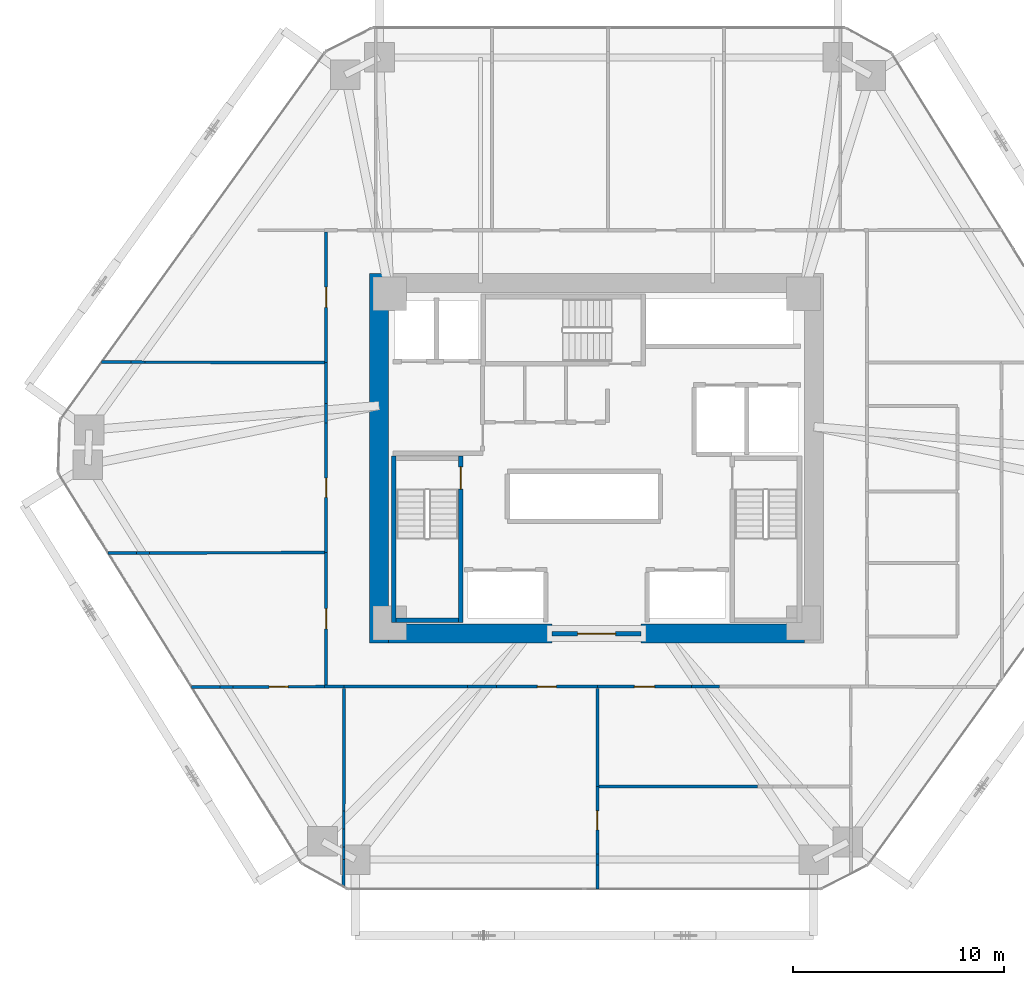
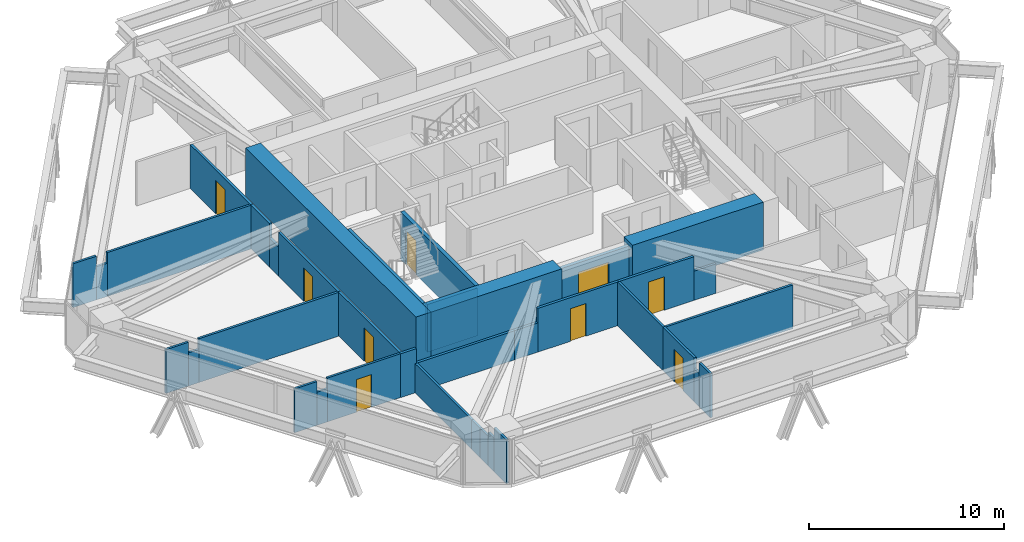
# One storey, part 13 of 18: 37 walls, 9 doors, 9 openings.
"""IFC4 building model written with IfcOpenShell, lengths in metres."""

from ifc_helpers import new_model, si_unit, direction, frame, frame_2d, origin, place, context, subcontext, project, spatial, rectangle, extrude, source, transform, mapped, material, layer, layer_set, type_object, type_shapes, element, fill, save


model = new_model("IFC4")

# Units and contexts
model_context = context("Model", 3, precision=1e-05, world=origin(), true_north=direction((0.0, 1.0)))
body_context = subcontext(model_context, "Body", "Model", "MODEL_VIEW")
ifc_project = project(units=[si_unit("LENGTHUNIT", "METRE"), si_unit("AREAUNIT", "SQUARE_METRE"), si_unit("VOLUMEUNIT", "CUBIC_METRE"), si_unit("PLANEANGLEUNIT", "RADIAN"), si_unit("MASSUNIT", "GRAM", prefix="KILO")], contexts=[model_context])

# Site, building, storey
site_placement = place(None, origin())
site = spatial("IfcSite", under=ifc_project, at=site_placement, CompositionType="ELEMENT")
building_placement = place(site_placement, origin())
building = spatial("IfcBuilding", under=site, at=building_placement, Name="Durnholm Broadcast Tower", CompositionType="ELEMENT")
storey_placement = place(building_placement, frame((0.0, 0.0, 78.300048828125)))
storey = spatial("IfcBuildingStorey", under=building, at=storey_placement, Name="L20", CompositionType="ELEMENT", Elevation=78.300048828125)

# Walls
ifc_material_1 = material(Name="Concrete C70/85", Category="concrete")
ifc_layer_1 = layer(ifc_material_1, 0.89990234375)
ifc_layer_set_1 = layer_set([ifc_layer_1], Name="Concrete C70/85")
wall_type_1 = type_object("IfcWallType", Name="WALL-CW-900", PredefinedType="SHEAR", material=ifc_layer_set_1)
wall_1_placement = place(storey_placement, frame((-10.300048828125, -8.75, 0.0), z_axis=(0.0, 0.0, 1.0), x_axis=(0.0, 1.0, 0.0)))
element("IfcWall", 1, at=wall_1_placement, inside=storey, type_object=wall_type_1, Name="L20 central core shear wall CW-WEST", PredefinedType="SHEAR", context=body_context, shape_type="SweptSolid", body=[
    extrude(rectangle(XDim=17.5, YDim=0.89990234375, at=frame_2d((8.75, 0.0))), origin(), (0.0, 0.0, 1.0), 3.0),
])
for number, where, z_axis, x_axis, name in (
    (2, (-9.85009765625, -8.300048828125, 0.0), (0.0, 0.0, 1.0), (1.0, 0.0, 0.0), "L20 central core shear wall CW-S1"),
    (3, (2.10009765625, -8.300048828125, 0.0), (0.0, 0.0, 1.0), (1.0, 0.0, 0.0), "L20 central core shear wall CW-S2"),
):
    element("IfcWall", number, at=place(storey_placement, frame(where, z_axis=z_axis, x_axis=x_axis)), inside=storey, type_object=wall_type_1, Name=name, PredefinedType="SHEAR", context=body_context, shape_type="SweptSolid", body=[
        extrude(rectangle(XDim=7.75, YDim=0.89990234375, at=frame_2d((3.875, 0.0))), origin(), (0.0, 0.0, 1.0), 3.0),
    ])

# Wall, opening, door
ifc_material_2 = material(Name="Fire-Rated Gypsum Shaftwall", Category="concrete")
ifc_layer_2 = layer(ifc_material_2, 0.199951171875)
ifc_layer_set_2 = layer_set([ifc_layer_2], Name="Fire-Rated Gypsum Shaftwall")
wall_type_2 = type_object("IfcWallType", Name="WALL-LOB-200", PredefinedType="SOLIDWALL", material=ifc_layer_set_2)
wall_2_placement = place(storey_placement, frame((-2.10009765625, -8.300048828125, 0.0), z_axis=(0.0, 0.0, 1.0), x_axis=(1.0, 0.0, 0.0)))
wall_2 = element("IfcWall", 4, at=wall_2_placement, inside=storey, type_object=wall_type_2, Name="L20 south core lobby fire screen", PredefinedType="SOLIDWALL", context=body_context, shape_type="SweptSolid", body=[
    extrude(rectangle(XDim=4.2001953125, YDim=0.199951171875, at=frame_2d((2.10009765625, 0.0))), origin(), (0.0, 0.0, 1.0), 2.744873046875),
])
opening_1_placement = place(wall_2_placement, frame((1.199951171875, 0.0, 0.0)))
opening_1 = element("IfcOpeningElement", 5, at=opening_1_placement, cuts=wall_2, Name="Opening DP-60", PredefinedType="OPENING", context=body_context, shape_type="SweptSolid", body=[
    extrude(rectangle(XDim=1.800048828125, YDim=2.14990234375, at=frame_2d((0.89990234375, 1.074951171875))), frame((0.0, 0.10986328125, 0.0), z_axis=(0.0, -1.0, 0.0), x_axis=(1.0, 0.0, 0.0)), (0.0, 0.0, 1.0), 0.219970703125),
])
ifc_material_3 = material(Name="Fire-Rated Double Corridor Door", Category="steel")
ifc_layer_3 = layer(ifc_material_3, 0.050048828125)
ifc_layer_set_3 = layer_set([ifc_layer_3], Name="Fire-Rated Double Corridor Door")
door_type_1 = type_object("IfcDoorType", Name="DOOR-PAIR-FD60", OperationType="DOUBLE_DOOR_SINGLE_SWING", PredefinedType="DOOR", material=ifc_layer_set_3)
shared_shape_1 = source(origin(), body_context, "Body", "SweptSolid", [
    extrude(rectangle(XDim=1.800048828125, YDim=2.14990234375, at=frame_2d((0.89990234375, 1.074951171875))), frame((0.0, 0.02490234375, 0.0), z_axis=(0.0, -1.0, 0.0), x_axis=(1.0, 0.0, 0.0)), (0.0, 0.0, 1.0), 0.050048828125),
])
type_shapes(door_type_1, [shared_shape_1])
door_1_placement = place(opening_1_placement, origin())
door_1 = element("IfcDoor", 6, at=door_1_placement, inside=storey, type_object=door_type_1, Name="L20 south core lobby double fire door", OperationType="DOUBLE_DOOR_SINGLE_SWING", OverallHeight=2.14990234375, OverallWidth=1.800048828125, PredefinedType="DOOR", context=body_context, shape_type="MappedRepresentation", body=[
    mapped(shared_shape_1, transform((0.0, 0.0, 0.0), x_axis=(1.0, 0.0, 0.0), y_axis=(0.0, 1.0, 0.0), z_axis=(0.0, 0.0, 1.0), scale=1.0)),
])
fill(opening_1, door_1)

# Walls
ifc_material_4 = material(Name="Gypsum Metal Stud Partition", Category="concrete")
ifc_layer_4 = layer(ifc_material_4, 0.135009765625)
ifc_layer_set_4 = layer_set([ifc_layer_4], Name="Gypsum Metal Stud Partition")
wall_type_3 = type_object("IfcWallType", Name="WALL-PART-135", PredefinedType="PARTITIONING", material=ifc_layer_set_4)
wall_3_placement = place(storey_placement, frame((-11.960205078125, -10.888916015625, 0.0), z_axis=(0.0, 0.0, 1.0), x_axis=(-0.002018838416, -0.999997962144, 0.0)))
element("IfcWall", 7, at=wall_3_placement, inside=storey, type_object=wall_type_3, Name="L20 room dividing partition 13.14", PredefinedType="PARTITIONING", context=body_context, shape_type="SweptSolid", body=[
    extrude(rectangle(XDim=5.8046875, YDim=0.135009765625, at=frame_2d((2.90234375, 0.0))), origin(), (0.0, 0.0, 1.0), 1.830078125),
])
wall_4_placement = place(storey_placement, frame((-11.973876953125, -17.552001953125, 0.0), z_axis=(0.0, 0.0, 1.0), x_axis=(-0.002027218539, -0.99999794519, 0.0)))
element("IfcWall", 8, at=wall_4_placement, inside=storey, type_object=wall_type_3, Name="L20 room dividing partition 13.14", PredefinedType="PARTITIONING", context=body_context, shape_type="SweptSolid", body=[
    extrude(rectangle(XDim=0.843017578125, YDim=0.135009765625, at=frame_2d((0.42138671875, 0.0))), origin(), (0.0, 0.0, 1.0), 1.830078125),
])
wall_5_placement = place(storey_placement, frame((-11.976806640625, -18.99951171875, 0.0), z_axis=(0.0, 0.0, 1.0), x_axis=(-0.002069999329, -0.999997857549, 0.0)))
element("IfcWall", 9, at=wall_5_placement, inside=storey, type_object=wall_type_3, Name="L20 room dividing partition 13.14", PredefinedType="PARTITIONING", context=body_context, shape_type="SweptSolid", body=[
    extrude(rectangle(XDim=1.29736328125, YDim=0.135009765625, at=frame_2d((0.648681640625, 0.0))), origin(), (0.0, 0.0, 1.0), 2.744873046875),
])
wall_6_placement = place(storey_placement, frame((-11.971923828125, -16.693603515625, 0.0), z_axis=(0.0, 0.0, 1.0), x_axis=(-0.002275306966, -0.999997411486, 0.0)))
element("IfcWall", 10, at=wall_6_placement, inside=storey, type_object=wall_type_3, Name="L20 room dividing partition 13.14", PredefinedType="PARTITIONING", context=body_context, shape_type="SweptSolid", body=[
    extrude(rectangle(XDim=0.8583984375, YDim=0.135009765625, at=frame_2d((0.42919921875, 0.0))), origin(), (0.0, 0.0, 1.0), 1.830078125),
])
wall_7_placement = place(storey_placement, frame((-11.9755859375, -18.39501953125, 0.0), z_axis=(0.0, 0.0, 1.0), x_axis=(-0.002019381989, -0.999997961046, 0.0)))
element("IfcWall", 11, at=wall_7_placement, inside=storey, type_object=wall_type_3, Name="L20 room dividing partition 13.14", PredefinedType="PARTITIONING", context=body_context, shape_type="SweptSolid", body=[
    extrude(rectangle(XDim=0.6044921875, YDim=0.135009765625, at=frame_2d((0.30224609375, 0.0))), origin(), (0.0, 0.0, 1.0), 2.079833984375),
])
wall_8_placement = place(storey_placement, frame((-19.18212890625, -10.831298828125, 0.0), z_axis=(0.0, 0.0, 1.0), x_axis=(0.999994579825, 0.00329246432, 0.0)))
element("IfcWall", 12, at=wall_8_placement, inside=storey, type_object=wall_type_3, Name="L20 room dividing partition 13.18", PredefinedType="PARTITIONING", context=body_context, shape_type="SweptSolid", body=[
    extrude(rectangle(XDim=1.334716796875, YDim=0.135009765625, at=frame_2d((0.66748046875, 0.0))), origin(), (0.0, 0.0, 1.0), 2.744873046875),
])

# Wall, opening, door
wall_9_placement = place(storey_placement, frame((-17.225341796875, -10.82470703125, 0.0), z_axis=(0.0, 0.0, 1.0), x_axis=(0.999994480721, 0.003322427884, 0.0)))
wall_9 = element("IfcWall", 13, at=wall_9_placement, inside=storey, type_object=wall_type_3, Name="L20 room dividing partition 13.18", PredefinedType="PARTITIONING", context=body_context, shape_type="SweptSolid", body=[
    extrude(rectangle(XDim=4.33544921875, YDim=0.135009765625, at=frame_2d((2.167724609375, 0.0))), origin(), (0.0, 0.0, 1.0), 2.744873046875),
])
opening_2_placement = place(wall_9_placement, frame((1.7177734375, 0.0, 0.0)))
opening_2 = element("IfcOpeningElement", 14, at=opening_2_placement, cuts=wall_9, Name="Opening DW-90L", PredefinedType="OPENING", context=body_context, shape_type="SweptSolid", body=[
    extrude(rectangle(XDim=0.89990234375, YDim=2.050048828125, at=frame_2d((0.449951171875, 1.02490234375))), frame((0.0, 0.07763671875, 0.0), z_axis=(0.0, -1.0, 0.0), x_axis=(1.0, 0.0, 0.0)), (0.0, 0.0, 1.0), 0.155029296875),
])
ifc_material_5 = material(Name="Laminate Restroom Door", Category="steel")
ifc_layer_5 = layer(ifc_material_5, 0.050048828125)
ifc_layer_set_5 = layer_set([ifc_layer_5], Name="Laminate Restroom Door")
door_type_2 = type_object("IfcDoorType", Name="DOOR-WC-900L", OperationType="NOTDEFINED", PredefinedType="DOOR", material=ifc_layer_set_5)
shared_shape_2 = source(origin(), body_context, "Body", "SweptSolid", [
    extrude(rectangle(XDim=0.89990234375, YDim=2.050048828125, at=frame_2d((0.449951171875, 1.02490234375))), frame((0.0, 0.02490234375, 0.0), z_axis=(0.0, -1.0, 0.0), x_axis=(1.0, 0.0, 0.0)), (0.0, 0.0, 1.0), 0.050048828125),
])
type_shapes(door_type_2, [shared_shape_2])
door_2_placement = place(opening_2_placement, origin())
door_2 = element("IfcDoor", 15, at=door_2_placement, inside=storey, type_object=door_type_2, Name="L20 Script Office connecting door", OperationType="SINGLE_SWING_LEFT", OverallHeight=2.050048828125, OverallWidth=0.89990234375, PredefinedType="DOOR", context=body_context, shape_type="MappedRepresentation", body=[
    mapped(shared_shape_2, transform((0.0, 0.0, 0.0), x_axis=(1.0, 0.0, 0.0), y_axis=(0.0, 1.0, 0.0), z_axis=(0.0, 0.0, 1.0), scale=1.0)),
])
fill(opening_2, door_2)

# Wall
wall_10_placement = place(storey_placement, frame((-17.847412109375, -10.826904296875, 0.0), z_axis=(0.0, 0.0, 1.0), x_axis=(0.999993761903, 0.00353216007, 0.0)))
element("IfcWall", 16, at=wall_10_placement, inside=storey, type_object=wall_type_3, Name="L20 room dividing partition 13.18", PredefinedType="PARTITIONING", context=body_context, shape_type="SweptSolid", body=[
    extrude(rectangle(XDim=0.6220703125, YDim=0.135009765625, at=frame_2d((0.31103515625, 0.0))), origin(), (0.0, 0.0, 1.0), 2.079833984375),
])

# Wall, opening, door
wall_11_placement = place(storey_placement, frame((0.0400390625, -15.544921875, 0.0), z_axis=(0.0, 0.0, 1.0), x_axis=(0.0, -1.0, 0.0)))
wall_11 = element("IfcWall", 17, at=wall_11_placement, inside=storey, type_object=wall_type_3, Name="L20 room dividing partition 14.15", PredefinedType="PARTITIONING", context=body_context, shape_type="SweptSolid", body=[
    extrude(rectangle(XDim=3.190673828125, YDim=0.135009765625, at=frame_2d((1.59521484375, 0.0))), origin(), (0.0, 0.0, 1.0), 2.744873046875),
])
opening_3_placement = place(wall_11_placement, frame((1.145263671875, 0.0, 0.0)))
opening_3 = element("IfcOpeningElement", 18, at=opening_3_placement, cuts=wall_11, Name="Opening DW-90L", PredefinedType="OPENING", context=body_context, shape_type="SweptSolid", body=[
    extrude(rectangle(XDim=0.89990234375, YDim=2.050048828125, at=frame_2d((0.449951171875, 1.02490234375))), frame((0.0, 0.07763671875, 0.0), z_axis=(0.0, -1.0, 0.0), x_axis=(1.0, 0.0, 0.0)), (0.0, 0.0, 1.0), 0.155029296875),
])
door_3_placement = place(opening_3_placement, origin())
door_3 = element("IfcDoor", 19, at=door_3_placement, inside=storey, type_object=door_type_2, Name="L20 Production Lounge connecting door", OperationType="SINGLE_SWING_LEFT", OverallHeight=2.050048828125, OverallWidth=0.89990234375, PredefinedType="DOOR", context=body_context, shape_type="MappedRepresentation", body=[
    mapped(shared_shape_2, transform((0.0, 0.0, 0.0), x_axis=(1.0, 0.0, 0.0), y_axis=(0.0, 1.0, 0.0), z_axis=(0.0, 0.0, 1.0), scale=1.0)),
])
fill(opening_3, door_3)

# Walls
wall_12_placement = place(storey_placement, frame((0.0400390625, -19.264404296875, 0.0), z_axis=(0.0, 0.0, 1.0), x_axis=(0.0, -1.0, 0.0)))
element("IfcWall", 20, at=wall_12_placement, inside=storey, type_object=wall_type_3, Name="L20 room dividing partition 14.15", PredefinedType="PARTITIONING", context=body_context, shape_type="SweptSolid", body=[
    extrude(rectangle(XDim=1.135498046875, YDim=0.135009765625, at=frame_2d((0.56787109375, 0.0))), origin(), (0.0, 0.0, 1.0), 2.744873046875),
])
wall_13_placement = place(storey_placement, frame((0.0400390625, -18.735595703125, 0.0), z_axis=(0.0, 0.0, 1.0), x_axis=(0.0, -1.0, 0.0)))
element("IfcWall", 21, at=wall_13_placement, inside=storey, type_object=wall_type_3, Name="L20 room dividing partition 14.15", PredefinedType="PARTITIONING", context=body_context, shape_type="SweptSolid", body=[
    extrude(rectangle(XDim=0.52880859375, YDim=0.135009765625, at=frame_2d((0.264404296875, 0.0))), origin(), (0.0, 0.0, 1.0), 2.079833984375),
])
wall_14_placement = place(storey_placement, frame((0.0400390625, -10.888916015625, 0.0), z_axis=(0.0, 0.0, 1.0), x_axis=(0.0, -1.0, 0.0)))
element("IfcWall", 22, at=wall_14_placement, inside=storey, type_object=wall_type_3, Name="L20 room dividing partition 14.16", PredefinedType="PARTITIONING", context=body_context, shape_type="SweptSolid", body=[
    extrude(rectangle(XDim=4.656005859375, YDim=0.135009765625, at=frame_2d((2.328125, 0.0))), origin(), (0.0, 0.0, 1.0), 2.744873046875),
])
wall_15_placement = place(storey_placement, frame((0.111572265625, -15.544921875, 0.0), z_axis=(0.0, 0.0, 1.0), x_axis=(1.0, 0.0, 0.0)))
element("IfcWall", 23, at=wall_15_placement, inside=storey, type_object=wall_type_3, Name="L20 room dividing partition 15.16", PredefinedType="PARTITIONING", context=body_context, shape_type="SweptSolid", body=[
    extrude(rectangle(XDim=7.52197265625, YDim=0.135009765625, at=frame_2d((3.760986328125, 0.0))), origin(), (0.0, 0.0, 1.0), 2.744873046875),
])
wall_16_placement = place(storey_placement, frame((-23.13623046875, -4.481201171875, 0.0), z_axis=(0.0, 0.0, 1.0), x_axis=(0.999997979486, 0.002010229856, 0.0)))
element("IfcWall", 24, at=wall_16_placement, inside=storey, type_object=wall_type_3, Name="L20 room dividing partition 18.19", PredefinedType="PARTITIONING", context=body_context, shape_type="SweptSolid", body=[
    extrude(rectangle(XDim=1.3359375, YDim=0.135009765625, at=frame_2d((0.66796875, 0.0))), origin(), (0.0, 0.0, 1.0), 2.744873046875),
])
wall_17_placement = place(storey_placement, frame((-21.177978515625, -4.47705078125, 0.0), z_axis=(0.0, 0.0, 1.0), x_axis=(0.999997934924, 0.00203227667, 0.0)))
element("IfcWall", 25, at=wall_17_placement, inside=storey, type_object=wall_type_3, Name="L20 room dividing partition 18.19", PredefinedType="PARTITIONING", context=body_context, shape_type="SweptSolid", body=[
    extrude(rectangle(XDim=8.2890625, YDim=0.135009765625, at=frame_2d((4.14453125, 0.0))), origin(), (0.0, 0.0, 1.0), 2.744873046875),
])
wall_18_placement = place(storey_placement, frame((-21.80029296875, -4.478515625, 0.0), z_axis=(0.0, 0.0, 1.0), x_axis=(0.999997229673, 0.00235385774, 0.0)))
element("IfcWall", 26, at=wall_18_placement, inside=storey, type_object=wall_type_3, Name="L20 room dividing partition 18.19", PredefinedType="PARTITIONING", context=body_context, shape_type="SweptSolid", body=[
    extrude(rectangle(XDim=0.622314453125, YDim=0.135009765625, at=frame_2d((0.31103515625, 0.0))), origin(), (0.0, 0.0, 1.0), 2.079833984375),
])
wall_19_placement = place(storey_placement, frame((-23.4423828125, 4.5634765625, 0.0), z_axis=(0.0, 0.0, 1.0), x_axis=(0.999997421875, -0.002270736504, 0.0)))
element("IfcWall", 27, at=wall_19_placement, inside=storey, type_object=wall_type_3, Name="L20 room dividing partition 19.20", PredefinedType="PARTITIONING", context=body_context, shape_type="SweptSolid", body=[
    extrude(rectangle(XDim=1.397705078125, YDim=0.135009765625, at=frame_2d((0.69873046875, 0.0))), origin(), (0.0, 0.0, 1.0), 2.744873046875),
])
wall_20_placement = place(storey_placement, frame((-21.393310546875, 4.558837890625, 0.0), z_axis=(0.0, 0.0, 1.0), x_axis=(0.999997619934, -0.002181771233, 0.0)))
element("IfcWall", 28, at=wall_20_placement, inside=storey, type_object=wall_type_3, Name="L20 room dividing partition 19.20", PredefinedType="PARTITIONING", context=body_context, shape_type="SweptSolid", body=[
    extrude(rectangle(XDim=8.50439453125, YDim=0.135009765625, at=frame_2d((4.252197265625, 0.0))), origin(), (0.0, 0.0, 1.0), 2.744873046875),
])
wall_21_placement = place(storey_placement, frame((-22.044677734375, 4.560302734375, 0.0), z_axis=(0.0, 0.0, 1.0), x_axis=(0.999997471289, -0.002248869875, 0.0)))
element("IfcWall", 29, at=wall_21_placement, inside=storey, type_object=wall_type_3, Name="L20 room dividing partition 19.20", PredefinedType="PARTITIONING", context=body_context, shape_type="SweptSolid", body=[
    extrude(rectangle(XDim=0.6513671875, YDim=0.135009765625, at=frame_2d((0.32568359375, 0.0))), origin(), (0.0, 0.0, 1.0), 2.079833984375),
])
ifc_material_6 = material(Name="Acoustic Gypsum Stud Partition", Category="concrete")
ifc_layer_6 = layer(ifc_material_6, 0.14990234375)
ifc_layer_set_6 = layer_set([ifc_layer_6], Name="Acoustic Gypsum Stud Partition")
wall_type_4 = type_object("IfcWallType", Name="WALL-PART-150", PredefinedType="PARTITIONING", material=ifc_layer_set_6)
wall_22_placement = place(storey_placement, frame((-12.889892578125, -10.81005859375, 0.0), z_axis=(0.0, 0.0, 1.0), x_axis=(1.0, 0.0, 0.0)))
element("IfcWall", 30, at=wall_22_placement, inside=storey, type_object=wall_type_4, Name="L20 Script Office corridor partition", PredefinedType="PARTITIONING", context=body_context, shape_type="SweptSolid", body=[
    extrude(rectangle(XDim=0.929931640625, YDim=0.14990234375, at=frame_2d((0.46484375, 0.0))), origin(), (0.0, 0.0, 1.0), 2.744873046875),
])
wall_23_placement = place(storey_placement, frame((-11.9599609375, -10.81005859375, 0.0), z_axis=(0.0, 0.0, 1.0), x_axis=(1.0, 0.0, 0.0)))
element("IfcWall", 31, at=wall_23_placement, inside=storey, type_object=wall_type_4, Name="L20 Archive Store corridor partition", PredefinedType="PARTITIONING", context=body_context, shape_type="SweptSolid", body=[
    extrude(rectangle(XDim=5.83837890625, YDim=0.14990234375, at=frame_2d((2.919189453125, 0.0))), origin(), (0.0, 0.0, 1.0), 1.830078125),
])

# Wall, opening, door
wall_24_placement = place(storey_placement, frame((-4.749755859375, -10.81005859375, 0.0), z_axis=(0.0, 0.0, 1.0), x_axis=(1.0, 0.0, 0.0)))
wall_24 = element("IfcWall", 32, at=wall_24_placement, inside=storey, type_object=wall_type_4, Name="L20 Archive Store corridor partition", PredefinedType="PARTITIONING", context=body_context, shape_type="SweptSolid", body=[
    extrude(rectangle(XDim=4.789794921875, YDim=0.14990234375, at=frame_2d((2.39501953125, 0.0))), origin(), (0.0, 0.0, 1.0), 2.744873046875),
])
opening_4_placement = place(wall_24_placement, frame((1.94482421875, 0.0, 0.0)))
opening_4 = element("IfcOpeningElement", 33, at=opening_4_placement, cuts=wall_24, Name="Opening DC-60R", PredefinedType="OPENING", context=body_context, shape_type="SweptSolid", body=[
    extrude(rectangle(XDim=0.89990234375, YDim=2.050048828125, at=frame_2d((0.449951171875, 1.02490234375))), frame((0.0, 0.0849609375, 0.0), z_axis=(0.0, -1.0, 0.0), x_axis=(1.0, 0.0, 0.0)), (0.0, 0.0, 1.0), 0.169921875),
])
ifc_material_7 = material(Name="Fire-Rated Core Service Door", Category="steel")
ifc_layer_7 = layer(ifc_material_7, 0.050048828125)
ifc_layer_set_7 = layer_set([ifc_layer_7], Name="Fire-Rated Core Service Door")
door_type_3 = type_object("IfcDoorType", Name="DOOR-CORE-FD60-R", OperationType="NOTDEFINED", PredefinedType="DOOR", material=ifc_layer_set_7)
shared_shape_3 = source(origin(), body_context, "Body", "SweptSolid", [
    extrude(rectangle(XDim=0.89990234375, YDim=2.050048828125, at=frame_2d((0.449951171875, 1.02490234375))), frame((0.0, 0.02490234375, 0.0), z_axis=(0.0, -1.0, 0.0), x_axis=(1.0, 0.0, 0.0)), (0.0, 0.0, 1.0), 0.050048828125),
])
type_shapes(door_type_3, [shared_shape_3])
door_4_placement = place(opening_4_placement, origin())
door_4 = element("IfcDoor", 34, at=door_4_placement, inside=storey, type_object=door_type_3, Name="L20 Archive Store entrance door", OperationType="SINGLE_SWING_RIGHT", OverallHeight=2.050048828125, OverallWidth=0.89990234375, PredefinedType="DOOR", context=body_context, shape_type="MappedRepresentation", body=[
    mapped(shared_shape_3, transform((0.0, 0.0, 0.0), x_axis=(1.0, 0.0, 0.0), y_axis=(0.0, 1.0, 0.0), z_axis=(0.0, 0.0, 1.0), scale=1.0)),
])
fill(opening_4, door_4)

# Wall
wall_25_placement = place(storey_placement, frame((-6.12158203125, -10.81005859375, 0.0), z_axis=(0.0, 0.0, 1.0), x_axis=(1.0, 0.0, 0.0)))
element("IfcWall", 35, at=wall_25_placement, inside=storey, type_object=wall_type_4, Name="L20 Archive Store corridor partition", PredefinedType="PARTITIONING", context=body_context, shape_type="SweptSolid", body=[
    extrude(rectangle(XDim=1.371826171875, YDim=0.14990234375, at=frame_2d((0.68603515625, 0.0))), origin(), (0.0, 0.0, 1.0), 1.830078125),
])

# Wall, opening, door
wall_26_placement = place(storey_placement, frame((0.0400390625, -10.81005859375, 0.0), z_axis=(0.0, 0.0, 1.0), x_axis=(1.0, 0.0, 0.0)))
wall_26 = element("IfcWall", 36, at=wall_26_placement, inside=storey, type_object=wall_type_4, Name="L20 Documentary Office 1 corridor partition", PredefinedType="PARTITIONING", context=body_context, shape_type="SweptSolid", body=[
    extrude(rectangle(XDim=4.459228515625, YDim=0.14990234375, at=frame_2d((2.2294921875, 0.0))), origin(), (0.0, 0.0, 1.0), 2.744873046875),
])
opening_5_placement = place(wall_26_placement, frame((1.754638671875, 0.0, 0.0)))
opening_5 = element("IfcOpeningElement", 37, at=opening_5_placement, cuts=wall_26, Name="Opening DR-95L", PredefinedType="OPENING", context=body_context, shape_type="SweptSolid", body=[
    extrude(rectangle(XDim=0.949951171875, YDim=2.10009765625, at=frame_2d((0.47509765625, 1.050048828125))), frame((0.0, 0.0849609375, 0.0), z_axis=(0.0, -1.0, 0.0), x_axis=(1.0, 0.0, 0.0)), (0.0, 0.0, 1.0), 0.169921875),
])
ifc_material_8 = material(Name="Acoustic Oak Veneer Timber Door", Category="wood")
ifc_layer_8 = layer(ifc_material_8, 0.050048828125)
ifc_layer_set_8 = layer_set([ifc_layer_8], Name="Acoustic Oak Veneer Timber Door")
door_type_4 = type_object("IfcDoorType", Name="DOOR-RM-950L", OperationType="NOTDEFINED", PredefinedType="DOOR", material=ifc_layer_set_8)
shared_shape_4 = source(origin(), body_context, "Body", "SweptSolid", [
    extrude(rectangle(XDim=0.949951171875, YDim=2.10009765625, at=frame_2d((0.47509765625, 1.050048828125))), frame((0.0, 0.02490234375, 0.0), z_axis=(0.0, -1.0, 0.0), x_axis=(1.0, 0.0, 0.0)), (0.0, 0.0, 1.0), 0.050048828125),
])
type_shapes(door_type_4, [shared_shape_4])
door_5_placement = place(opening_5_placement, origin())
door_5 = element("IfcDoor", 38, at=door_5_placement, inside=storey, type_object=door_type_4, Name="L20 Documentary Office 1 entrance door", OperationType="SINGLE_SWING_LEFT", OverallHeight=2.10009765625, OverallWidth=0.949951171875, PredefinedType="DOOR", context=body_context, shape_type="MappedRepresentation", body=[
    mapped(shared_shape_4, transform((0.0, 0.0, 0.0), x_axis=(1.0, 0.0, 0.0), y_axis=(0.0, 1.0, 0.0), z_axis=(0.0, 0.0, 1.0), scale=1.0)),
])
fill(opening_5, door_5)

# Wall
wall_27_placement = place(storey_placement, frame((4.499267578125, -10.81005859375, 0.0), z_axis=(0.0, 0.0, 1.0), x_axis=(1.0, 0.0, 0.0)))
element("IfcWall", 39, at=wall_27_placement, inside=storey, type_object=wall_type_4, Name="L20 Documentary Office 1 corridor partition", PredefinedType="PARTITIONING", context=body_context, shape_type="SweptSolid", body=[
    extrude(rectangle(XDim=1.318115234375, YDim=0.14990234375, at=frame_2d((0.6591796875, 0.0))), origin(), (0.0, 0.0, 1.0), 1.830078125),
])

# Wall, opening, door
wall_28_placement = place(storey_placement, frame((-12.81005859375, -4.4599609375, 0.0), z_axis=(0.0, 0.0, 1.0), x_axis=(0.0, -1.0, 0.0)))
wall_28 = element("IfcWall", 40, at=wall_28_placement, inside=storey, type_object=wall_type_4, Name="L20 Post Edit Office 1 corridor partition", PredefinedType="PARTITIONING", context=body_context, shape_type="SweptSolid", body=[
    extrude(rectangle(XDim=6.27099609375, YDim=0.14990234375, at=frame_2d((3.135498046875, 0.0))), origin(), (0.0, 0.0, 1.0), 2.744873046875),
])
opening_6_placement = place(wall_28_placement, frame((2.660400390625, 0.0, 0.0)))
opening_6 = element("IfcOpeningElement", 41, at=opening_6_placement, cuts=wall_28, Name="Opening DR-95L", PredefinedType="OPENING", context=body_context, shape_type="SweptSolid", body=[
    extrude(rectangle(XDim=0.949951171875, YDim=2.10009765625, at=frame_2d((0.47509765625, 1.050048828125))), frame((0.0, 0.0849609375, 0.0), z_axis=(0.0, -1.0, 0.0), x_axis=(1.0, 0.0, 0.0)), (0.0, 0.0, 1.0), 0.169921875),
])
door_6_placement = place(opening_6_placement, origin())
door_6 = element("IfcDoor", 42, at=door_6_placement, inside=storey, type_object=door_type_4, Name="L20 Post Edit Office 1 entrance door", OperationType="SINGLE_SWING_LEFT", OverallHeight=2.10009765625, OverallWidth=0.949951171875, PredefinedType="DOOR", context=body_context, shape_type="MappedRepresentation", body=[
    mapped(shared_shape_4, transform((0.0, 0.0, 0.0), x_axis=(1.0, 0.0, 0.0), y_axis=(0.0, 1.0, 0.0), z_axis=(0.0, 0.0, 1.0), scale=1.0)),
])
fill(opening_6, door_6)

# Wall
wall_29_placement = place(storey_placement, frame((-12.81005859375, 4.5400390625, 0.0), z_axis=(0.0, 0.0, 1.0), x_axis=(0.0, -1.0, 0.0)))
element("IfcWall", 43, at=wall_29_placement, inside=storey, type_object=wall_type_4, Name="L20 Post Edit Office 2 corridor partition", PredefinedType="PARTITIONING", context=body_context, shape_type="SweptSolid", body=[
    extrude(rectangle(XDim=1.94775390625, YDim=0.14990234375, at=frame_2d((0.973876953125, 0.0))), origin(), (0.0, 0.0, 1.0), 2.744873046875),
])

# Wall, opening, door
wall_30_placement = place(storey_placement, frame((-12.81005859375, 1.682373046875, 0.0), z_axis=(0.0, 0.0, 1.0), x_axis=(0.0, -1.0, 0.0)))
wall_30 = element("IfcWall", 44, at=wall_30_placement, inside=storey, type_object=wall_type_4, Name="L20 Post Edit Office 2 corridor partition", PredefinedType="PARTITIONING", context=body_context, shape_type="SweptSolid", body=[
    extrude(rectangle(XDim=6.142333984375, YDim=0.14990234375, at=frame_2d((3.0712890625, 0.0))), origin(), (0.0, 0.0, 1.0), 2.744873046875),
])
opening_7_placement = place(wall_30_placement, frame((2.611083984375, 0.0, 0.0)))
opening_7 = element("IfcOpeningElement", 45, at=opening_7_placement, cuts=wall_30, Name="Opening DR-92R", PredefinedType="OPENING", context=body_context, shape_type="SweptSolid", body=[
    extrude(rectangle(XDim=0.919921875, YDim=2.10009765625, at=frame_2d((0.4599609375, 1.050048828125))), frame((0.0, 0.0849609375, 0.0), z_axis=(0.0, -1.0, 0.0), x_axis=(1.0, 0.0, 0.0)), (0.0, 0.0, 1.0), 0.169921875),
])
ifc_material_9 = material(Name="Oak Veneer Office Door", Category="wood")
ifc_layer_9 = layer(ifc_material_9, 0.050048828125)
ifc_layer_set_9 = layer_set([ifc_layer_9], Name="Oak Veneer Office Door")
door_type_5 = type_object("IfcDoorType", Name="DOOR-RM-920R", OperationType="NOTDEFINED", PredefinedType="DOOR", material=ifc_layer_set_9)
shared_shape_5 = source(origin(), body_context, "Body", "SweptSolid", [
    extrude(rectangle(XDim=0.919921875, YDim=2.10009765625, at=frame_2d((0.4599609375, 1.050048828125))), frame((0.0, 0.02490234375, 0.0), z_axis=(0.0, -1.0, 0.0), x_axis=(1.0, 0.0, 0.0)), (0.0, 0.0, 1.0), 0.050048828125),
])
type_shapes(door_type_5, [shared_shape_5])
door_7_placement = place(opening_7_placement, origin())
door_7 = element("IfcDoor", 46, at=door_7_placement, inside=storey, type_object=door_type_5, Name="L20 Post Edit Office 2 entrance door", OperationType="SINGLE_SWING_RIGHT", OverallHeight=2.10009765625, OverallWidth=0.919921875, PredefinedType="DOOR", context=body_context, shape_type="MappedRepresentation", body=[
    mapped(shared_shape_5, transform((0.0, 0.0, 0.0), x_axis=(1.0, 0.0, 0.0), y_axis=(0.0, 1.0, 0.0), z_axis=(0.0, 0.0, 1.0), scale=1.0)),
])
fill(opening_7, door_7)

# Wall
wall_31_placement = place(storey_placement, frame((-12.81005859375, 2.59228515625, 0.0), z_axis=(0.0, 0.0, 1.0), x_axis=(0.0, -1.0, 0.0)))
element("IfcWall", 47, at=wall_31_placement, inside=storey, type_object=wall_type_4, Name="L20 Post Edit Office 2 corridor partition", PredefinedType="PARTITIONING", context=body_context, shape_type="SweptSolid", body=[
    extrude(rectangle(XDim=0.909912109375, YDim=0.14990234375, at=frame_2d((0.455078125, 0.0))), origin(), (0.0, 0.0, 1.0), 1.830078125),
])

# Wall, opening, door
wall_32_placement = place(storey_placement, frame((-12.81005859375, 10.73095703125, 0.0), z_axis=(0.0, 0.0, 1.0), x_axis=(0.0, -1.0, 0.0)))
wall_32 = element("IfcWall", 48, at=wall_32_placement, inside=storey, type_object=wall_type_4, Name="L20 Foley Office corridor partition", PredefinedType="PARTITIONING", context=body_context, shape_type="SweptSolid", body=[
    extrude(rectangle(XDim=6.19091796875, YDim=0.14990234375, at=frame_2d((3.095458984375, 0.0))), origin(), (0.0, 0.0, 1.0), 2.744873046875),
])
opening_8_placement = place(wall_32_placement, frame((2.62060546875, 0.0, 0.0)))
opening_8 = element("IfcOpeningElement", 49, at=opening_8_placement, cuts=wall_32, Name="Opening DR-95L", PredefinedType="OPENING", context=body_context, shape_type="SweptSolid", body=[
    extrude(rectangle(XDim=0.949951171875, YDim=2.10009765625, at=frame_2d((0.47509765625, 1.050048828125))), frame((0.0, 0.0849609375, 0.0), z_axis=(0.0, -1.0, 0.0), x_axis=(1.0, 0.0, 0.0)), (0.0, 0.0, 1.0), 0.169921875),
])
door_8_placement = place(opening_8_placement, origin())
door_8 = element("IfcDoor", 50, at=door_8_placement, inside=storey, type_object=door_type_4, Name="L20 Foley Office entrance door", OperationType="SINGLE_SWING_LEFT", OverallHeight=2.10009765625, OverallWidth=0.949951171875, PredefinedType="DOOR", context=body_context, shape_type="MappedRepresentation", body=[
    mapped(shared_shape_4, transform((0.0, 0.0, 0.0), x_axis=(1.0, 0.0, 0.0), y_axis=(0.0, 1.0, 0.0), z_axis=(0.0, 0.0, 1.0), scale=1.0)),
])
fill(opening_8, door_8)

ifc_material_10 = material(Name="Concrete C50/60", Category="concrete")
ifc_layer_10 = layer(ifc_material_10, 0.219970703125)
ifc_layer_set_10 = layer_set([ifc_layer_10], Name="Concrete C50/60")
wall_type_5 = type_object("IfcWallType", Name="WALL-SW-220", PredefinedType="SHEAR", material=ifc_layer_set_10)
wall_33_placement = place(storey_placement, frame((-6.429931640625, -7.77001953125, -0.239990234375), z_axis=(0.0, 0.0, 1.0), x_axis=(0.0, 1.0, 0.0)))
wall_33 = element("IfcWall", 51, at=wall_33_placement, inside=storey, type_object=wall_type_5, Name="L20 stair ST-1 structural shaft wall E", PredefinedType="SHEAR", context=body_context, shape_type="SweptSolid", body=[
    extrude(rectangle(XDim=7.89013671875, YDim=0.219970703125, at=frame_2d((3.945068359375, 0.0))), origin(), (0.0, 0.0, 1.0), 3.0),
])
opening_9_placement = place(wall_33_placement, frame((6.320068359375, 0.0, 0.0)))
opening_9 = element("IfcOpeningElement", 52, at=opening_9_placement, cuts=wall_33, Name="Opening DS-90L", PredefinedType="OPENING", context=body_context, shape_type="SweptSolid", body=[
    extrude(rectangle(XDim=1.050048828125, YDim=2.14990234375, at=frame_2d((0.52490234375, 1.074951171875))), frame((0.0, 0.1201171875, 0.0), z_axis=(0.0, -1.0, 0.0), x_axis=(1.0, 0.0, 0.0)), (0.0, 0.0, 1.0), 0.239990234375),
])
ifc_material_11 = material(Name="Fire-Rated Steel Door", Category="steel")
ifc_layer_11 = layer(ifc_material_11, 0.050048828125)
ifc_layer_set_11 = layer_set([ifc_layer_11], Name="Fire-Rated Steel Door")
door_type_6 = type_object("IfcDoorType", Name="DOOR-ST-FD90-L", OperationType="NOTDEFINED", PredefinedType="DOOR", material=ifc_layer_set_11)
shared_shape_6 = source(origin(), body_context, "Body", "SweptSolid", [
    extrude(rectangle(XDim=1.050048828125, YDim=2.14990234375, at=frame_2d((0.52490234375, 1.074951171875))), frame((0.0, 0.02490234375, 0.0), z_axis=(0.0, -1.0, 0.0), x_axis=(1.0, 0.0, 0.0)), (0.0, 0.0, 1.0), 0.050048828125),
])
type_shapes(door_type_6, [shared_shape_6])
door_9_placement = place(opening_9_placement, origin())
door_9 = element("IfcDoor", 53, at=door_9_placement, inside=storey, type_object=door_type_6, Name="L20 exit stair ST-1 fire door", OperationType="SINGLE_SWING_LEFT", OverallHeight=2.14990234375, OverallWidth=1.050048828125, PredefinedType="DOOR", context=body_context, shape_type="MappedRepresentation", body=[
    mapped(shared_shape_6, transform((0.0, 0.0, 0.0), x_axis=(1.0, 0.0, 0.0), y_axis=(0.0, 1.0, 0.0), z_axis=(0.0, 0.0, 1.0), scale=1.0)),
])
fill(opening_9, door_9)

# Walls
wall_34_placement = place(storey_placement, frame((-9.610107421875, 0.1201171875, -0.239990234375), z_axis=(0.0, 0.0, 1.0), x_axis=(0.0, -1.0, 0.0)))
element("IfcWall", 54, at=wall_34_placement, inside=storey, type_object=wall_type_5, Name="L20 stair ST-1 structural shaft wall W", PredefinedType="SHEAR", context=body_context, shape_type="SweptSolid", body=[
    extrude(rectangle(XDim=7.89013671875, YDim=0.219970703125, at=frame_2d((3.945068359375, 0.0))), origin(), (0.0, 0.0, 1.0), 3.0),
])
wall_35_placement = place(storey_placement, frame((-9.5, -7.659912109375, -0.239990234375), z_axis=(0.0, 0.0, 1.0), x_axis=(1.0, 0.0, 0.0)))
element("IfcWall", 55, at=wall_35_placement, inside=storey, type_object=wall_type_5, Name="L20 stair ST-1 structural shaft wall S", PredefinedType="SHEAR", context=body_context, shape_type="SweptSolid", body=[
    extrude(rectangle(XDim=2.9599609375, YDim=0.219970703125, at=frame_2d((1.47998046875, 0.0))), origin(), (0.0, 0.0, 1.0), 3.0),
])

save(model, "model.ifc")
